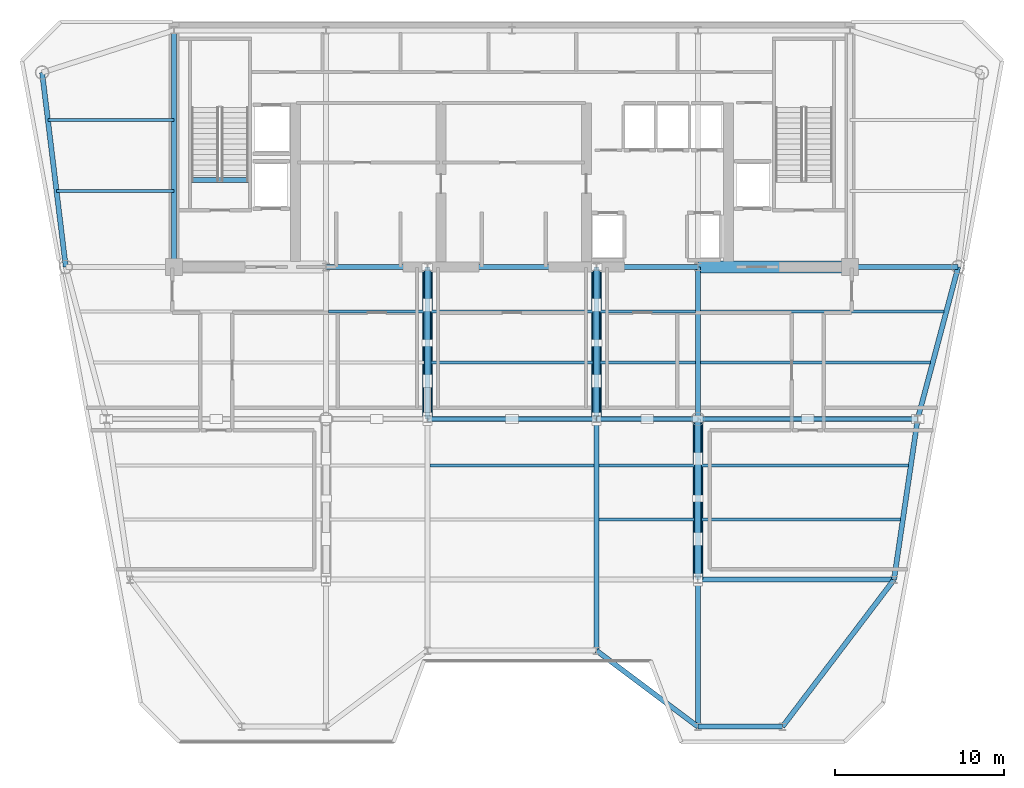
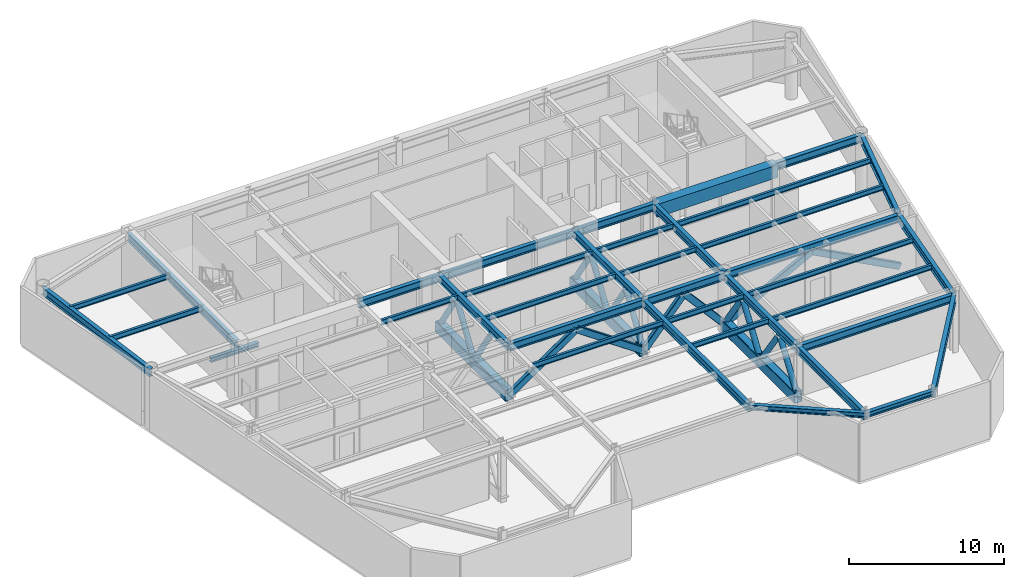
# One storey, part 2 of 9: 37 beams, 23 members.
"""IFC4 building model written with IfcOpenShell, lengths in metres."""

from ifc_helpers import new_model, si_unit, direction, frame, origin, origin_2d, place, context, subcontext, project, spatial, rectangle, hollow_rectangle, hollow_circle, i_section, extrude, source, transform, mapped, material, material_profile, profile_set, type_object, element, save


model = new_model("IFC4")

# Units and contexts
model_context = context("Model", 3, precision=1e-05, world=origin(), true_north=direction((0.0, 1.0)))
body_context = subcontext(model_context, "Body", "Model", "MODEL_VIEW")
ifc_project = project(units=[si_unit("LENGTHUNIT", "METRE"), si_unit("AREAUNIT", "SQUARE_METRE"), si_unit("VOLUMEUNIT", "CUBIC_METRE"), si_unit("PLANEANGLEUNIT", "RADIAN"), si_unit("MASSUNIT", "GRAM", prefix="KILO")], contexts=[model_context])

# Site, building, storey
site_placement = place(None, origin())
site = spatial("IfcSite", under=ifc_project, at=site_placement, CompositionType="ELEMENT")
building_placement = place(site_placement, origin())
building = spatial("IfcBuilding", under=site, at=building_placement, Name="Vaeldorn Concourse Tower", CompositionType="ELEMENT")
storey_placement = place(building_placement, frame((0.0, 0.0, 218.39990234375)))
storey = spatial("IfcBuildingStorey", under=building, at=storey_placement, Name="L56", CompositionType="ELEMENT", Elevation=218.39990234375)

# Beams
ifc_material_1 = material(Name="Concrete C50/60", Category="concrete")
ifc_material_profile_1 = material_profile(ifc_material_1, rectangle(XDim=0.699951171875, YDim=1.0, at=origin_2d()), Name="RC 700x1000")
ifc_profile_set_1 = profile_set([ifc_material_profile_1], Name="Concrete C50/60")
beam_type_1 = type_object("IfcBeamType", Name="BM-CB-RC700", PredefinedType="BEAM", material=ifc_profile_set_1)
shared_shape_1 = source(origin(), body_context, "Body", "SweptSolid", [
    extrude(rectangle(XDim=0.699951171875, YDim=1.0, at=origin_2d()), origin(), (0.0, 0.0, 1.0), 9.0),
])
beam_1_placement = place(storey_placement, frame((45.0, 36.5, 4.0400390625), z_axis=(1.0, 0.0, 0.0), x_axis=(0.0, 1.0, 0.0)))
element("IfcBeam", 1, at=beam_1_placement, inside=storey, type_object=beam_type_1, Name="Core Coupling Beam L56-2", PredefinedType="BEAM", context=body_context, shape_type="MappedRepresentation", body=[
    mapped(shared_shape_1, transform((0.0, 0.0, 0.0), scale=1.0)),
])
ifc_material_2 = material(Name="Steel S355", Category="steel")
ifc_material_profile_2 = material_profile(ifc_material_2, i_section(OverallWidth=0.300048828125, OverallDepth=0.340087890625, WebThickness=0.011962890625, FlangeThickness=0.021484375, FilletRadius=0.027099609375, at=origin_2d()), Name="HEB 340")
ifc_profile_set_2 = profile_set([ifc_material_profile_2], Name="Steel S355")
beam_type_2 = type_object("IfcBeamType", Name="BM-ST-TRIM", PredefinedType="BEAM", material=ifc_profile_set_2)
shared_shape_2 = source(origin(), body_context, "Body", "SweptSolid", [
    extrude(i_section(OverallWidth=0.300048828125, OverallDepth=0.340087890625, WebThickness=0.011962890625, FlangeThickness=0.021484375, FilletRadius=0.027099609375, at=origin_2d()), origin(), (0.0, 0.0, 1.0), 3.590087890625),
])
beam_2_placement = place(storey_placement, frame((14.929931640625, 41.639892578125, -0.429931640625), z_axis=(1.0, 0.0, 0.0), x_axis=(0.0, 1.0, 0.0)))
element("IfcBeam", 2, at=beam_2_placement, inside=storey, type_object=beam_type_2, Name="Stair Landing Trimmer Beam ST-1 L56", PredefinedType="BEAM", context=body_context, shape_type="MappedRepresentation", body=[
    mapped(shared_shape_2, transform((0.0, 0.0, 0.0), scale=1.0)),
])
ifc_material_profile_3 = material_profile(ifc_material_2, i_section(OverallWidth=0.300048828125, OverallDepth=0.60009765625, WebThickness=0.015380859375, FlangeThickness=0.030029296875, FilletRadius=0.027099609375, at=origin_2d()), Name="HEB 600")
ifc_profile_set_3 = profile_set([ifc_material_profile_3], Name="Steel S355")
beam_type_3 = type_object("IfcBeamType", Name="BM-PG-HEB600", PredefinedType="BEAM", material=ifc_profile_set_3)
shared_shape_3 = source(origin(), body_context, "Body", "SweptSolid", [
    extrude(i_section(OverallWidth=0.300048828125, OverallDepth=0.60009765625, WebThickness=0.015380859375, FlangeThickness=0.030029296875, FilletRadius=0.027099609375, at=origin_2d()), origin(), (0.0, 0.0, 1.0), 6.0),
])
for number, where, z_axis, x_axis, name in (
    (3, (23.0, 36.5, 4.239990234375), (1.0, 0.0, 0.0), (0.0, 1.0, 0.0), "Beam BM-L56-C-FC2-C-FC3"),
    (4, (39.0, 36.5, 4.239990234375), (1.0, 0.0, 0.0), (0.0, 1.0, 0.0), "Beam BM-L56-C-FC4-C-FC5"),
    (5, (39.0, 27.5, 4.239990234375), (1.0, 0.0, 0.0), (0.0, 1.0, 0.0), "Beam BM-L56-C-TW3-C-TW4"),
):
    element("IfcBeam", number, at=place(storey_placement, frame(where, z_axis=z_axis, x_axis=x_axis)), inside=storey, type_object=beam_type_3, Name=name, PredefinedType="BEAM", context=body_context, shape_type="MappedRepresentation", body=[
        mapped(shared_shape_3, transform((0.0, 0.0, 0.0), scale=1.0)),
    ])
shared_shape_4 = source(origin(), body_context, "Body", "SweptSolid", [
    extrude(i_section(OverallWidth=0.300048828125, OverallDepth=0.60009765625, WebThickness=0.015380859375, FlangeThickness=0.030029296875, FilletRadius=0.027099609375, at=origin_2d()), origin(), (0.0, 0.0, 1.0), 10.0),
])
for number, where, z_axis, x_axis, name in (
    (6, (29.0, 36.5, 4.239990234375), (1.0, 0.0, 0.0), (0.0, 1.0, 0.0), "Beam BM-L56-C-FC3-C-FC4"),
    (7, (29.0, 27.5, 4.239990234375), (1.0, 0.0, 0.0), (0.0, 1.0, 0.0), "Beam BM-L56-C-TW2-C-TW3"),
):
    element("IfcBeam", number, at=place(storey_placement, frame(where, z_axis=z_axis, x_axis=x_axis)), inside=storey, type_object=beam_type_3, Name=name, PredefinedType="BEAM", context=body_context, shape_type="MappedRepresentation", body=[
        mapped(shared_shape_4, transform((0.0, 0.0, 0.0), scale=1.0)),
    ])
shared_shape_5 = source(origin(), body_context, "Body", "SweptSolid", [
    extrude(i_section(OverallWidth=0.300048828125, OverallDepth=0.60009765625, WebThickness=0.015380859375, FlangeThickness=0.030029296875, FilletRadius=0.027099609375, at=origin_2d()), origin(), (0.0, 0.0, 1.0), 9.0),
])
for number, where, z_axis, x_axis, name in (
    (8, (29.0, 27.5, 4.239990234375), (0.0, 1.0, 0.0), (-1.0, 0.0, 0.0), "Beam BM-L56-C-TW2-C-FC3"),
    (9, (39.0, 27.5, 4.239990234375), (0.0, 1.0, 0.0), (-1.0, 0.0, 0.0), "Beam BM-L56-C-TW3-C-FC4"),
    (10, (45.0, 27.5, 4.239990234375), (0.0, 1.0, 0.0), (-1.0, 0.0, 0.0), "Beam BM-L56-C-TW4-C-FC5"),
):
    element("IfcBeam", number, at=place(storey_placement, frame(where, z_axis=z_axis, x_axis=x_axis)), inside=storey, type_object=beam_type_3, Name=name, PredefinedType="BEAM", context=body_context, shape_type="MappedRepresentation", body=[
        mapped(shared_shape_5, transform((0.0, 0.0, 0.0), scale=1.0)),
    ])
shared_shape_6 = source(origin(), body_context, "Body", "SweptSolid", [
    extrude(i_section(OverallWidth=0.300048828125, OverallDepth=0.60009765625, WebThickness=0.015380859375, FlangeThickness=0.030029296875, FilletRadius=0.027099609375, at=origin_2d()), origin(), (0.0, 0.0, 1.0), 14.0),
])
beam_3_placement = place(storey_placement, frame((14.0, 36.5, 4.239990234375), z_axis=(0.0, 1.0, 0.0), x_axis=(-1.0, 0.0, 0.0)))
element("IfcBeam", 11, at=beam_3_placement, inside=storey, type_object=beam_type_3, Name="Beam BM-L56-C-FC1-C-HC1", PredefinedType="BEAM", context=body_context, shape_type="MappedRepresentation", body=[
    mapped(shared_shape_6, transform((0.0, 0.0, 0.0), scale=1.0)),
])
shared_shape_7 = source(origin(), body_context, "Body", "SweptSolid", [
    extrude(i_section(OverallWidth=0.300048828125, OverallDepth=0.60009765625, WebThickness=0.015380859375, FlangeThickness=0.030029296875, FilletRadius=0.027099609375, at=origin_2d()), origin(), (0.0, 0.0, 1.0), 11.5849609375),
])
beam_4_placement = place(storey_placement, frame((6.199951171875, 48.0, 4.239990234375), z_axis=(0.120859382899, -0.992669637677, 0.0), x_axis=(0.992669637677, 0.120859382899, 0.0)))
element("IfcBeam", 12, at=beam_4_placement, inside=storey, type_object=beam_type_3, Name="Beam BM-L56-C-NW1-C-NW2", PredefinedType="BEAM", context=body_context, shape_type="MappedRepresentation", body=[
    mapped(shared_shape_7, transform((0.0, 0.0, 0.0), scale=1.0)),
])
shared_shape_8 = source(origin(), body_context, "Body", "SweptSolid", [
    extrude(i_section(OverallWidth=0.300048828125, OverallDepth=0.60009765625, WebThickness=0.015380859375, FlangeThickness=0.030029296875, FilletRadius=0.027099609375, at=origin_2d()), origin(), (0.0, 0.0, 1.0), 6.39990234375),
])
beam_5_placement = place(storey_placement, frame((54.0, 36.5, 4.239990234375), z_axis=(1.0, 0.0, 0.0), x_axis=(0.0, 1.0, 0.0)))
element("IfcBeam", 13, at=beam_5_placement, inside=storey, type_object=beam_type_3, Name="Beam BM-L56-C-FC6-C-NE2", PredefinedType="BEAM", context=body_context, shape_type="MappedRepresentation", body=[
    mapped(shared_shape_8, transform((0.0, 0.0, 0.0), scale=1.0)),
])
shared_shape_9 = source(origin(), body_context, "Body", "SweptSolid", [
    extrude(i_section(OverallWidth=0.300048828125, OverallDepth=0.60009765625, WebThickness=0.015380859375, FlangeThickness=0.030029296875, FilletRadius=0.027099609375, at=origin_2d()), origin(), (0.0, 0.0, 1.0), 9.314453125),
])
beam_6_placement = place(storey_placement, frame((60.39990234375, 36.5, 4.239990234375), z_axis=(-0.257652862255, -0.966237549763, 0.0), x_axis=(0.966237549763, -0.257652862255, 0.0)))
element("IfcBeam", 14, at=beam_6_placement, inside=storey, type_object=beam_type_3, Name="Beam BM-L56-C-NE2-C-FLE1", PredefinedType="BEAM", context=body_context, shape_type="MappedRepresentation", body=[
    mapped(shared_shape_9, transform((0.0, 0.0, 0.0), scale=1.0)),
])
shared_shape_10 = source(origin(), body_context, "Body", "SweptSolid", [
    extrude(i_section(OverallWidth=0.300048828125, OverallDepth=0.60009765625, WebThickness=0.015380859375, FlangeThickness=0.030029296875, FilletRadius=0.027099609375, at=origin_2d()), origin(), (0.0, 0.0, 1.0), 13.0),
])
beam_7_placement = place(storey_placement, frame((45.0, 27.5, 4.239990234375), z_axis=(1.0, 0.0, 0.0), x_axis=(0.0, 1.0, 0.0)))
element("IfcBeam", 15, at=beam_7_placement, inside=storey, type_object=beam_type_3, Name="Beam BM-L56-C-TW4-C-FLE1", PredefinedType="BEAM", context=body_context, shape_type="MappedRepresentation", body=[
    mapped(shared_shape_10, transform((0.0, 0.0, 0.0), scale=1.0)),
])
shared_shape_11 = source(origin(), body_context, "Body", "SweptSolid", [
    extrude(i_section(OverallWidth=0.300048828125, OverallDepth=0.60009765625, WebThickness=0.015380859375, FlangeThickness=0.030029296875, FilletRadius=0.027099609375, at=origin_2d()), origin(), (0.0, 0.0, 1.0), 9.6025390625),
])
beam_8_placement = place(storey_placement, frame((58.0, 27.5, 4.239990234375), z_axis=(-0.145783835977, -0.989316467652, 0.0), x_axis=(0.989316467652, -0.145783835977, 0.0)))
element("IfcBeam", 16, at=beam_8_placement, inside=storey, type_object=beam_type_3, Name="Beam BM-L56-C-FLE1-C-FLE2", PredefinedType="BEAM", context=body_context, shape_type="MappedRepresentation", body=[
    mapped(shared_shape_11, transform((0.0, 0.0, 0.0), scale=1.0)),
])
shared_shape_12 = source(origin(), body_context, "Body", "SweptSolid", [
    extrude(i_section(OverallWidth=0.300048828125, OverallDepth=0.60009765625, WebThickness=0.015380859375, FlangeThickness=0.030029296875, FilletRadius=0.027099609375, at=origin_2d()), origin(), (0.0, 0.0, 1.0), 11.60009765625),
])
beam_9_placement = place(storey_placement, frame((45.0, 18.0, 4.239990234375), z_axis=(1.0, 0.0, 0.0), x_axis=(0.0, 1.0, 0.0)))
element("IfcBeam", 17, at=beam_9_placement, inside=storey, type_object=beam_type_3, Name="Beam BM-L56-C-TW6-C-FLE2", PredefinedType="BEAM", context=body_context, shape_type="MappedRepresentation", body=[
    mapped(shared_shape_12, transform((0.0, 0.0, 0.0), scale=1.0)),
])
shared_shape_13 = source(origin(), body_context, "Body", "SweptSolid", [
    extrude(i_section(OverallWidth=0.300048828125, OverallDepth=0.60009765625, WebThickness=0.015380859375, FlangeThickness=0.030029296875, FilletRadius=0.027099609375, at=origin_2d()), origin(), (0.0, 0.0, 1.0), 9.5),
])
beam_10_placement = place(storey_placement, frame((45.0, 18.0, 4.239990234375), z_axis=(0.0, 1.0, 0.0), x_axis=(-1.0, 0.0, 0.0)))
element("IfcBeam", 18, at=beam_10_placement, inside=storey, type_object=beam_type_3, Name="Beam BM-L56-C-TW6-C-TW4", PredefinedType="BEAM", context=body_context, shape_type="MappedRepresentation", body=[
    mapped(shared_shape_13, transform((0.0, 0.0, 0.0), scale=1.0)),
])
ifc_material_profile_4 = material_profile(ifc_material_2, i_section(OverallWidth=0.300048828125, OverallDepth=0.39990234375, WebThickness=0.013427734375, FlangeThickness=0.02392578125, FilletRadius=0.027099609375, at=origin_2d()), Name="HEB 400")
ifc_profile_set_4 = profile_set([ifc_material_profile_4], Name="Steel S355")
beam_type_4 = type_object("IfcBeamType", Name="BM-SP-HEB400", PredefinedType="SPANDREL", material=ifc_profile_set_4)
shared_shape_14 = source(origin(), body_context, "Body", "SweptSolid", [
    extrude(i_section(OverallWidth=0.300048828125, OverallDepth=0.39990234375, WebThickness=0.013427734375, FlangeThickness=0.02392578125, FilletRadius=0.027099609375, at=origin_2d()), origin(), (0.0, 0.0, 1.0), 5.0),
])
beam_11_placement = place(storey_placement, frame((45.0, 9.300048828125, 4.340087890625), z_axis=(1.0, 0.0, 0.0), x_axis=(0.0, 1.0, 0.0)))
element("IfcBeam", 19, at=beam_11_placement, inside=storey, type_object=beam_type_4, Name="Beam BM-L56-C-SF5-C-SF6", PredefinedType="SPANDREL", context=body_context, shape_type="MappedRepresentation", body=[
    mapped(shared_shape_14, transform((0.0, 0.0, 0.0), scale=1.0)),
])
shared_shape_15 = source(origin(), body_context, "Body", "SweptSolid", [
    extrude(i_section(OverallWidth=0.300048828125, OverallDepth=0.39990234375, WebThickness=0.013427734375, FlangeThickness=0.02392578125, FilletRadius=0.027099609375, at=origin_2d()), origin(), (0.0, 0.0, 1.0), 7.5),
])
beam_12_placement = place(storey_placement, frame((39.0, 13.800048828125, 4.340087890625), z_axis=(0.8, -0.6, 0.0), x_axis=(0.6, 0.8, 0.0)))
element("IfcBeam", 20, at=beam_12_placement, inside=storey, type_object=beam_type_4, Name="Beam BM-L56-C-SF4-C-SF5", PredefinedType="SPANDREL", context=body_context, shape_type="MappedRepresentation", body=[
    mapped(shared_shape_15, transform((0.0, 0.0, 0.0), scale=1.0)),
])
ifc_material_profile_5 = material_profile(ifc_material_2, i_section(OverallWidth=0.179931640625, OverallDepth=0.39990234375, WebThickness=0.008544921875, FlangeThickness=0.013427734375, FilletRadius=0.02099609375, at=origin_2d()), Name="IPE 400")
ifc_profile_set_5 = profile_set([ifc_material_profile_5], Name="Steel S355")
beam_type_5 = type_object("IfcBeamType", Name="BM-JS-IPE400", PredefinedType="JOIST", material=ifc_profile_set_5)
shared_shape_16 = source(origin(), body_context, "Body", "SweptSolid", [
    extrude(i_section(OverallWidth=0.179931640625, OverallDepth=0.39990234375, WebThickness=0.008544921875, FlangeThickness=0.013427734375, FilletRadius=0.02099609375, at=origin_2d()), origin(), (0.0, 0.0, 1.0), 5.7001953125),
])
for number, where, z_axis, x_axis, name in (
    (21, (39.14990234375, 21.56005859375, 4.340087890625), (1.0, 0.0, 0.0), (0.0, 1.0, 0.0), "Beam JS-L56-E2-215"),
    (22, (39.14990234375, 24.760009765625, 4.340087890625), (1.0, 0.0, 0.0), (0.0, 1.0, 0.0), "Beam JS-L56-E2-247"),
    (23, (39.14990234375, 30.860107421875, 4.340087890625), (1.0, 0.0, 0.0), (0.0, 1.0, 0.0), "Beam JS-L56-E2-308"),
    (24, (23.14990234375, 33.860107421875, 4.340087890625), (1.0, 0.0, 0.0), (0.0, 1.0, 0.0), "Beam JS-L56-W2-338"),
    (25, (39.14990234375, 33.860107421875, 4.340087890625), (1.0, 0.0, 0.0), (0.0, 1.0, 0.0), "Beam JS-L56-E2-338"),
):
    element("IfcBeam", number, at=place(storey_placement, frame(where, z_axis=z_axis, x_axis=x_axis)), inside=storey, type_object=beam_type_5, Name=name, PredefinedType="JOIST", context=body_context, shape_type="MappedRepresentation", body=[
        mapped(shared_shape_16, transform((0.0, 0.0, 0.0), scale=1.0)),
    ])
shared_shape_17 = source(origin(), body_context, "Body", "SweptSolid", [
    extrude(i_section(OverallWidth=0.179931640625, OverallDepth=0.39990234375, WebThickness=0.008544921875, FlangeThickness=0.013427734375, FilletRadius=0.02099609375, at=origin_2d()), origin(), (0.0, 0.0, 1.0), 9.7001953125),
])
for number, where, z_axis, x_axis, name in (
    (26, (29.14990234375, 24.760009765625, 4.340087890625), (1.0, 0.0, 0.0), (0.0, 1.0, 0.0), "Beam JS-L56-C-247"),
    (27, (29.14990234375, 30.860107421875, 4.340087890625), (1.0, 0.0, 0.0), (0.0, 1.0, 0.0), "Beam JS-L56-C-308"),
    (28, (29.14990234375, 33.860107421875, 4.340087890625), (1.0, 0.0, 0.0), (0.0, 1.0, 0.0), "Beam JS-L56-C-338"),
):
    element("IfcBeam", number, at=place(storey_placement, frame(where, z_axis=z_axis, x_axis=x_axis)), inside=storey, type_object=beam_type_5, Name=name, PredefinedType="JOIST", context=body_context, shape_type="MappedRepresentation", body=[
        mapped(shared_shape_17, transform((0.0, 0.0, 0.0), scale=1.0)),
    ])
shared_shape_18 = source(origin(), body_context, "Body", "SweptSolid", [
    extrude(i_section(OverallWidth=0.179931640625, OverallDepth=0.39990234375, WebThickness=0.008544921875, FlangeThickness=0.013427734375, FilletRadius=0.02099609375, at=origin_2d()), origin(), (0.0, 0.0, 1.0), 6.94775390625),
])
beam_13_placement = place(storey_placement, frame((7.05224609375, 41.0, 4.340087890625), z_axis=(1.0, 0.0, 0.0), x_axis=(0.0, 1.0, 0.0)))
element("IfcBeam", 29, at=beam_13_placement, inside=storey, type_object=beam_type_5, Name="Beam JS-L56-NW-410", PredefinedType="JOIST", context=body_context, shape_type="MappedRepresentation", body=[
    mapped(shared_shape_18, transform((0.0, 0.0, 0.0), scale=1.0)),
])
shared_shape_19 = source(origin(), body_context, "Body", "SweptSolid", [
    extrude(i_section(OverallWidth=0.179931640625, OverallDepth=0.39990234375, WebThickness=0.008544921875, FlangeThickness=0.013427734375, FilletRadius=0.02099609375, at=origin_2d()), origin(), (0.0, 0.0, 1.0), 7.458984375),
])
beam_14_placement = place(storey_placement, frame((6.541015625, 45.199951171875, 4.340087890625), z_axis=(1.0, 0.0, 0.0), x_axis=(0.0, 1.0, 0.0)))
element("IfcBeam", 30, at=beam_14_placement, inside=storey, type_object=beam_type_5, Name="Beam JS-L56-NW-452", PredefinedType="JOIST", context=body_context, shape_type="MappedRepresentation", body=[
    mapped(shared_shape_19, transform((0.0, 0.0, 0.0), scale=1.0)),
])
shared_shape_20 = source(origin(), body_context, "Body", "SweptSolid", [
    extrude(i_section(OverallWidth=0.179931640625, OverallDepth=0.39990234375, WebThickness=0.008544921875, FlangeThickness=0.013427734375, FilletRadius=0.02099609375, at=origin_2d()), origin(), (0.0, 0.0, 1.0), 11.82470703125),
])
beam_15_placement = place(storey_placement, frame((45.14990234375, 21.56005859375, 4.340087890625), z_axis=(1.0, 0.0, 0.0), x_axis=(0.0, 1.0, 0.0)))
element("IfcBeam", 31, at=beam_15_placement, inside=storey, type_object=beam_type_5, Name="Beam JS-L56-E1-215", PredefinedType="JOIST", context=body_context, shape_type="MappedRepresentation", body=[
    mapped(shared_shape_20, transform((0.0, 0.0, 0.0), scale=1.0)),
])
shared_shape_21 = source(origin(), body_context, "Body", "SweptSolid", [
    extrude(i_section(OverallWidth=0.179931640625, OverallDepth=0.39990234375, WebThickness=0.008544921875, FlangeThickness=0.013427734375, FilletRadius=0.02099609375, at=origin_2d()), origin(), (0.0, 0.0, 1.0), 12.29638671875),
])
beam_16_placement = place(storey_placement, frame((45.14990234375, 24.760009765625, 4.340087890625), z_axis=(1.0, 0.0, 0.0), x_axis=(0.0, 1.0, 0.0)))
element("IfcBeam", 32, at=beam_16_placement, inside=storey, type_object=beam_type_5, Name="Beam JS-L56-E1-247", PredefinedType="JOIST", context=body_context, shape_type="MappedRepresentation", body=[
    mapped(shared_shape_21, transform((0.0, 0.0, 0.0), scale=1.0)),
])
shared_shape_22 = source(origin(), body_context, "Body", "SweptSolid", [
    extrude(i_section(OverallWidth=0.179931640625, OverallDepth=0.39990234375, WebThickness=0.008544921875, FlangeThickness=0.013427734375, FilletRadius=0.02099609375, at=origin_2d()), origin(), (0.0, 0.0, 1.0), 13.59619140625),
])
beam_17_placement = place(storey_placement, frame((45.14990234375, 30.860107421875, 4.340087890625), z_axis=(1.0, 0.0, 0.0), x_axis=(0.0, 1.0, 0.0)))
element("IfcBeam", 33, at=beam_17_placement, inside=storey, type_object=beam_type_5, Name="Beam JS-L56-E1-308", PredefinedType="JOIST", context=body_context, shape_type="MappedRepresentation", body=[
    mapped(shared_shape_22, transform((0.0, 0.0, 0.0), scale=1.0)),
])
shared_shape_23 = source(origin(), body_context, "Body", "SweptSolid", [
    extrude(i_section(OverallWidth=0.179931640625, OverallDepth=0.39990234375, WebThickness=0.008544921875, FlangeThickness=0.013427734375, FilletRadius=0.02099609375, at=origin_2d()), origin(), (0.0, 0.0, 1.0), 14.39599609375),
])
beam_18_placement = place(storey_placement, frame((45.14990234375, 33.860107421875, 4.340087890625), z_axis=(1.0, 0.0, 0.0), x_axis=(0.0, 1.0, 0.0)))
element("IfcBeam", 34, at=beam_18_placement, inside=storey, type_object=beam_type_5, Name="Beam JS-L56-E1-338", PredefinedType="JOIST", context=body_context, shape_type="MappedRepresentation", body=[
    mapped(shared_shape_23, transform((0.0, 0.0, 0.0), scale=1.0)),
])
shared_shape_24 = source(origin(), body_context, "Body", "SweptSolid", [
    extrude(i_section(OverallWidth=0.300048828125, OverallDepth=0.60009765625, WebThickness=0.015380859375, FlangeThickness=0.030029296875, FilletRadius=0.027099609375, at=origin_2d()), origin(), (0.0, 0.0, 1.0), 10.920166015625),
])
beam_19_placement = place(storey_placement, frame((50.0, 9.300048828125, 4.239990234375), z_axis=(0.604394310451, 0.796685331542, 0.0), x_axis=(-0.796685331542, 0.604394310451, 0.0)))
element("IfcBeam", 35, at=beam_19_placement, inside=storey, type_object=beam_type_3, Name="Beam BM-L56-C-SF6-C-FLE2", PredefinedType="BEAM", context=body_context, shape_type="MappedRepresentation", body=[
    mapped(shared_shape_24, transform((0.0, 0.0, 0.0), scale=1.0)),
])
shared_shape_25 = source(origin(), body_context, "Body", "SweptSolid", [
    extrude(i_section(OverallWidth=0.300048828125, OverallDepth=0.60009765625, WebThickness=0.015380859375, FlangeThickness=0.030029296875, FilletRadius=0.027099609375, at=origin_2d()), origin(), (0.0, 0.0, 1.0), 8.699951171875),
])
beam_20_placement = place(storey_placement, frame((45.0, 9.300048828125, 4.239990234375), z_axis=(0.0, 1.0, 0.0), x_axis=(-1.0, 0.0, 0.0)))
element("IfcBeam", 36, at=beam_20_placement, inside=storey, type_object=beam_type_3, Name="Beam BM-L56-C-SF5-C-TW6", PredefinedType="BEAM", context=body_context, shape_type="MappedRepresentation", body=[
    mapped(shared_shape_25, transform((0.0, 0.0, 0.0), scale=1.0)),
])
shared_shape_26 = source(origin(), body_context, "Body", "SweptSolid", [
    extrude(i_section(OverallWidth=0.300048828125, OverallDepth=0.60009765625, WebThickness=0.015380859375, FlangeThickness=0.030029296875, FilletRadius=0.027099609375, at=origin_2d()), origin(), (0.0, 0.0, 1.0), 13.699951171875),
])
beam_21_placement = place(storey_placement, frame((39.0, 13.800048828125, 4.239990234375), z_axis=(0.0, 1.0, 0.0), x_axis=(-1.0, 0.0, 0.0)))
element("IfcBeam", 37, at=beam_21_placement, inside=storey, type_object=beam_type_3, Name="Beam BM-L56-C-SF4-C-TW3", PredefinedType="BEAM", context=body_context, shape_type="MappedRepresentation", body=[
    mapped(shared_shape_26, transform((0.0, 0.0, 0.0), scale=1.0)),
])

# Members
ifc_material_3 = material(Name="Steel S460", Category="steel")
ifc_material_profile_6 = material_profile(ifc_material_3, hollow_rectangle(XDim=0.60009765625, YDim=0.89990234375, WallThickness=0.0400390625, InnerFilletRadius=0.0400390625, OuterFilletRadius=0.080078125, at=origin_2d()), Name="RHS 900x600x40")
ifc_profile_set_6 = profile_set([ifc_material_profile_6], Name="Steel S460")
member_type_1 = type_object("IfcMemberType", Name="MB-OT-CHORD1", PredefinedType="CHORD", material=ifc_profile_set_6)
shared_shape_27 = source(origin(), body_context, "Body", "SweptSolid", [
    extrude(hollow_rectangle(XDim=0.60009765625, YDim=0.89990234375, WallThickness=0.0400390625, InnerFilletRadius=0.0400390625, OuterFilletRadius=0.080078125, at=origin_2d()), origin(), (0.0, 0.0, 1.0), 4.699951171875),
])
member_1_placement = place(storey_placement, frame((45.0, 27.5, 0.4501953125), z_axis=(0.0, -1.0, 0.0), x_axis=(1.0, 0.0, 0.0)))
element("IfcMember", 38, at=member_1_placement, inside=storey, type_object=member_type_1, Name="Outrigger Bottom Chord L56 OT4.1", PredefinedType="CHORD", context=body_context, shape_type="MappedRepresentation", body=[
    mapped(shared_shape_27, transform((0.0, 0.0, 0.0), scale=1.0)),
])
shared_shape_28 = source(origin(), body_context, "Body", "SweptSolid", [
    extrude(hollow_rectangle(XDim=0.60009765625, YDim=0.89990234375, WallThickness=0.0400390625, InnerFilletRadius=0.0400390625, OuterFilletRadius=0.080078125, at=origin_2d()), origin(), (0.0, 0.0, 1.0), 4.800048828125),
])
member_2_placement = place(storey_placement, frame((45.0, 22.800048828125, 0.4501953125), z_axis=(0.0, -1.0, 0.0), x_axis=(1.0, 0.0, 0.0)))
element("IfcMember", 39, at=member_2_placement, inside=storey, type_object=member_type_1, Name="Outrigger Bottom Chord L56 OT4.2", PredefinedType="CHORD", context=body_context, shape_type="MappedRepresentation", body=[
    mapped(shared_shape_28, transform((0.0, 0.0, 0.0), scale=1.0)),
])
shared_shape_29 = source(origin(), body_context, "Body", "SweptSolid", [
    extrude(hollow_rectangle(XDim=0.60009765625, YDim=0.89990234375, WallThickness=0.0400390625, InnerFilletRadius=0.0400390625, OuterFilletRadius=0.080078125, at=origin_2d()), origin(), (0.0, 0.0, 1.0), 4.5),
])
for number, where, z_axis, x_axis, name in (
    (40, (29.0, 36.5, 0.4501953125), (0.0, -1.0, 0.0), (1.0, 0.0, 0.0), "Outrigger Bottom Chord L56 OT2.1"),
    (41, (29.0, 32.0, 0.4501953125), (0.0, -1.0, 0.0), (1.0, 0.0, 0.0), "Outrigger Bottom Chord L56 OT2.2"),
    (42, (39.0, 36.5, 0.4501953125), (0.0, -1.0, 0.0), (1.0, 0.0, 0.0), "Outrigger Bottom Chord L56 OT3.1"),
    (43, (39.0, 32.0, 0.4501953125), (0.0, -1.0, 0.0), (1.0, 0.0, 0.0), "Outrigger Bottom Chord L56 OT3.2"),
):
    element("IfcMember", number, at=place(storey_placement, frame(where, z_axis=z_axis, x_axis=x_axis)), inside=storey, type_object=member_type_1, Name=name, PredefinedType="CHORD", context=body_context, shape_type="MappedRepresentation", body=[
        mapped(shared_shape_29, transform((0.0, 0.0, 0.0), scale=1.0)),
    ])
ifc_material_profile_7 = material_profile(ifc_material_3, hollow_circle(Radius=0.203125, WallThickness=0.02001953125, at=origin_2d()), Name="CHS 406.4x20")
ifc_profile_set_7 = profile_set([ifc_material_profile_7], Name="Steel S460")
member_type_2 = type_object("IfcMemberType", Name="MB-OT-DIAG2", PredefinedType="BRACE", material=ifc_profile_set_7)
shared_shape_30 = source(origin(), body_context, "Body", "SweptSolid", [
    extrude(hollow_circle(Radius=0.203125, WallThickness=0.02001953125, at=origin_2d()), origin(), (0.0, 0.0, 1.0), 4.166015625),
])
for number, where, z_axis, x_axis, name in (
    (44, (45.0, 27.5, 0.4501953125), (0.0, -0.564103947014, 0.82570378282), (1.0, 0.0, 0.0), "Outrigger Truss Diagonal L56 OT4.1A"),
    (45, (45.0, 22.800048828125, 0.4501953125), (0.0, 0.564063990889, 0.82573107861), (-1.0, 0.0, 0.0), "Outrigger Truss Diagonal L56 OT4.1B"),
):
    element("IfcMember", number, at=place(storey_placement, frame(where, z_axis=z_axis, x_axis=x_axis)), inside=storey, type_object=member_type_2, Name=name, PredefinedType="BRACE", context=body_context, shape_type="MappedRepresentation", body=[
        mapped(shared_shape_30, transform((0.0, 0.0, 0.0), scale=1.0)),
    ])
shared_shape_31 = source(origin(), body_context, "Body", "SweptSolid", [
    extrude(hollow_circle(Radius=0.203125, WallThickness=0.02001953125, at=origin_2d()), origin(), (0.0, 0.0, 1.0), 4.194580078125),
])
member_3_placement = place(storey_placement, frame((45.0, 22.800048828125, 0.4501953125), z_axis=(0.0, -0.572211640255, 0.820105992391), x_axis=(1.0, 0.0, 0.0)))
element("IfcMember", 46, at=member_3_placement, inside=storey, type_object=member_type_2, Name="Outrigger Truss Diagonal L56 OT4.2A", PredefinedType="BRACE", context=body_context, shape_type="MappedRepresentation", body=[
    mapped(shared_shape_31, transform((0.0, 0.0, 0.0), scale=1.0)),
])
shared_shape_32 = source(origin(), body_context, "Body", "SweptSolid", [
    extrude(hollow_circle(Radius=0.203125, WallThickness=0.02001953125, at=origin_2d()), origin(), (0.0, 0.0, 1.0), 4.1943359375),
])
member_4_placement = place(storey_placement, frame((45.0, 18.0, 0.4501953125), z_axis=(0.0, 0.572172491257, 0.820133306389), x_axis=(-1.0, 0.0, 0.0)))
element("IfcMember", 47, at=member_4_placement, inside=storey, type_object=member_type_2, Name="Outrigger Truss Diagonal L56 OT4.2B", PredefinedType="BRACE", context=body_context, shape_type="MappedRepresentation", body=[
    mapped(shared_shape_32, transform((0.0, 0.0, 0.0), scale=1.0)),
])
shared_shape_33 = source(origin(), body_context, "Body", "SweptSolid", [
    extrude(hollow_circle(Radius=0.203125, WallThickness=0.02001953125, at=origin_2d()), origin(), (0.0, 0.0, 1.0), 4.1103515625),
])
for number, where, z_axis, x_axis, name in (
    (48, (29.0, 36.5, 0.4501953125), (0.0, -0.547386980315, 0.836879617258), (1.0, 0.0, 0.0), "Outrigger Truss Diagonal L56 OT2.1A"),
    (49, (29.0, 32.0, 0.4501953125), (0.0, 0.547386980315, 0.836879617258), (-1.0, 0.0, 0.0), "Outrigger Truss Diagonal L56 OT2.1B"),
    (50, (29.0, 32.0, 0.4501953125), (0.0, -0.547386980315, 0.836879617258), (1.0, 0.0, 0.0), "Outrigger Truss Diagonal L56 OT2.2A"),
    (51, (39.0, 36.5, 0.4501953125), (0.0, -0.547386980315, 0.836879617258), (1.0, 0.0, 0.0), "Outrigger Truss Diagonal L56 OT3.1A"),
    (52, (39.0, 32.0, 0.4501953125), (0.0, 0.547386980315, 0.836879617258), (-1.0, 0.0, 0.0), "Outrigger Truss Diagonal L56 OT3.1B"),
    (53, (39.0, 32.0, 0.4501953125), (0.0, -0.547386980315, 0.836879617258), (1.0, 0.0, 0.0), "Outrigger Truss Diagonal L56 OT3.2A"),
    (54, (39.0, 27.5, 0.4501953125), (0.0, 0.547386980315, 0.836879617258), (-1.0, 0.0, 0.0), "Outrigger Truss Diagonal L56 OT3.2B"),
):
    element("IfcMember", number, at=place(storey_placement, frame(where, z_axis=z_axis, x_axis=x_axis)), inside=storey, type_object=member_type_2, Name=name, PredefinedType="BRACE", context=body_context, shape_type="MappedRepresentation", body=[
        mapped(shared_shape_33, transform((0.0, 0.0, 0.0), scale=1.0)),
    ])
ifc_material_profile_8 = material_profile(ifc_material_2, hollow_rectangle(XDim=0.300048828125, YDim=0.5, WallThickness=0.02490234375, InnerFilletRadius=0.02490234375, OuterFilletRadius=0.050048828125, at=origin_2d()), Name="RHS 500x300x25")
ifc_profile_set_8 = profile_set([ifc_material_profile_8], Name="Steel S355")
member_type_3 = type_object("IfcMemberType", Name="MB-BT-BRACE2", PredefinedType="BRACE", material=ifc_profile_set_8)
shared_shape_34 = source(origin(), body_context, "Body", "SweptSolid", [
    extrude(hollow_rectangle(XDim=0.300048828125, YDim=0.5, WallThickness=0.02490234375, InnerFilletRadius=0.02490234375, OuterFilletRadius=0.050048828125, at=origin_2d()), origin(), (0.0, 0.0, 1.0), 7.354248046875),
])
for number, where, z_axis, x_axis, name in (
    (55, (45.0, 27.5, 0.4501953125), (0.883857352752, 0.0, 0.467756539223), (0.0, 1.0, 0.0), "Belt Truss Chevron Brace L56-5A"),
    (56, (58.0, 27.5, 0.4501953125), (-0.883857352752, 0.0, 0.467756539223), (0.0, -1.0, 0.0), "Belt Truss Chevron Brace L56-5B"),
):
    element("IfcMember", number, at=place(storey_placement, frame(where, z_axis=z_axis, x_axis=x_axis)), inside=storey, type_object=member_type_3, Name=name, PredefinedType="BRACE", context=body_context, shape_type="MappedRepresentation", body=[
        mapped(shared_shape_34, transform((0.0, 0.0, 0.0), scale=1.0)),
    ])
shared_shape_35 = source(origin(), body_context, "Body", "SweptSolid", [
    extrude(hollow_rectangle(XDim=0.300048828125, YDim=0.5, WallThickness=0.02490234375, InnerFilletRadius=0.02490234375, OuterFilletRadius=0.050048828125, at=origin_2d()), origin(), (0.0, 0.0, 1.0), 4.564453125),
])
for number, where, z_axis, x_axis, name in (
    (57, (39.0, 27.5, 0.4501953125), (0.657269221512, 0.0, 0.753655870045), (0.0, 1.0, 0.0), "Belt Truss Chevron Brace L56-4A"),
    (58, (45.0, 27.5, 0.4501953125), (-0.657269221512, 0.0, 0.753655870045), (0.0, -1.0, 0.0), "Belt Truss Chevron Brace L56-4B"),
):
    element("IfcMember", number, at=place(storey_placement, frame(where, z_axis=z_axis, x_axis=x_axis)), inside=storey, type_object=member_type_3, Name=name, PredefinedType="BRACE", context=body_context, shape_type="MappedRepresentation", body=[
        mapped(shared_shape_35, transform((0.0, 0.0, 0.0), scale=1.0)),
    ])
shared_shape_36 = source(origin(), body_context, "Body", "SweptSolid", [
    extrude(hollow_rectangle(XDim=0.300048828125, YDim=0.5, WallThickness=0.02490234375, InnerFilletRadius=0.02490234375, OuterFilletRadius=0.050048828125, at=origin_2d()), origin(), (0.0, 0.0, 1.0), 6.069091796875),
])
for number, where, z_axis, x_axis, name in (
    (59, (29.0, 27.5, 0.4501953125), (0.823854080622, 0.0, 0.566801952928), (0.0, 1.0, 0.0), "Belt Truss Chevron Brace L56-3A"),
    (60, (39.0, 27.5, 0.4501953125), (-0.823854080622, 0.0, 0.566801952928), (0.0, -1.0, 0.0), "Belt Truss Chevron Brace L56-3B"),
):
    element("IfcMember", number, at=place(storey_placement, frame(where, z_axis=z_axis, x_axis=x_axis)), inside=storey, type_object=member_type_3, Name=name, PredefinedType="BRACE", context=body_context, shape_type="MappedRepresentation", body=[
        mapped(shared_shape_36, transform((0.0, 0.0, 0.0), scale=1.0)),
    ])

save(model, "model.ifc")
